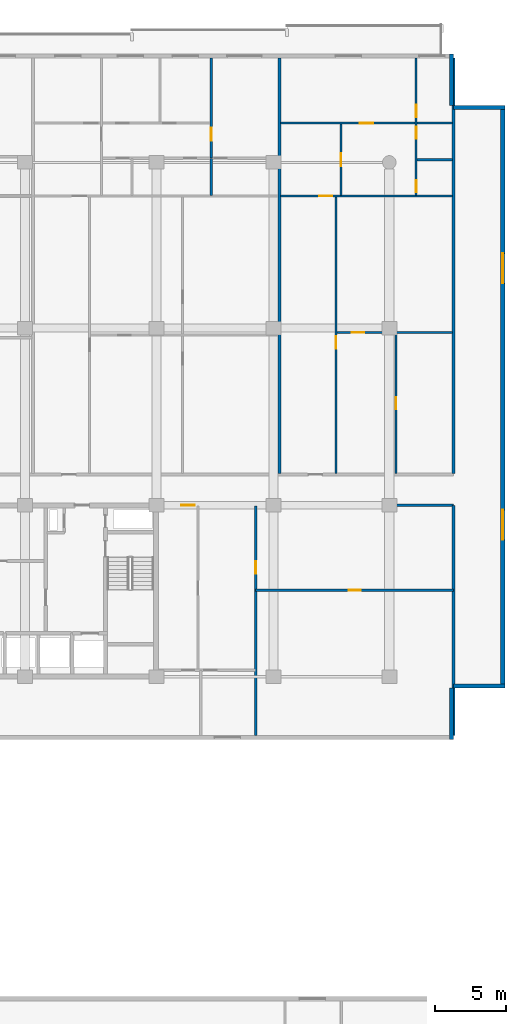
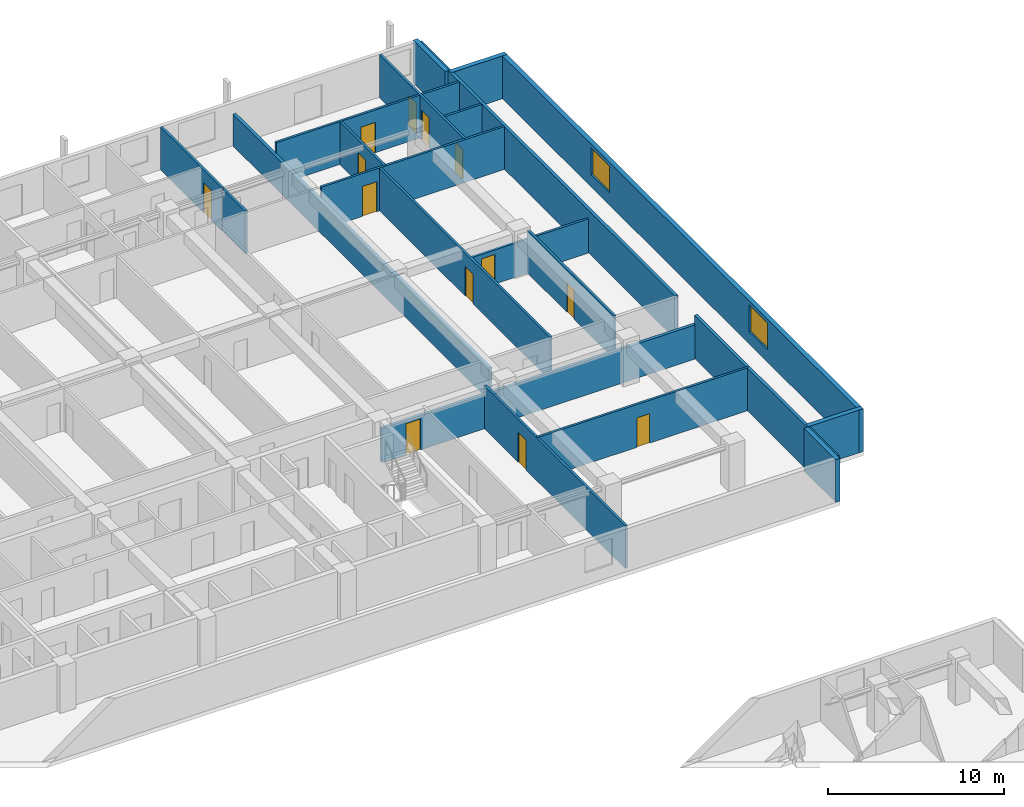
# One storey, part 18 of 24: 21 walls, 13 doors, 2 windows, 15 openings.
"""IFC4 building model written with IfcOpenShell, lengths in metres."""

from ifc_helpers import new_model, si_unit, direction, frame, frame_2d, origin, place, context, subcontext, project, spatial, rectangle, extrude, material, layer, layer_set, type_object, element, fill, save


model = new_model("IFC4")

# Units and contexts
model_context = context("Model", 3, precision=1e-05, world=origin(), true_north=direction((0.0, 1.0)))
body_context = subcontext(model_context, "Body", "Model", "MODEL_VIEW")
ifc_project = project(units=[si_unit("LENGTHUNIT", "METRE"), si_unit("AREAUNIT", "SQUARE_METRE"), si_unit("VOLUMEUNIT", "CUBIC_METRE"), si_unit("PLANEANGLEUNIT", "RADIAN"), si_unit("MASSUNIT", "GRAM", prefix="KILO")], contexts=[model_context])

# Site, building, storey
site_placement = place(None, origin())
site = spatial("IfcSite", under=ifc_project, at=site_placement, CompositionType="ELEMENT")
building_placement = place(site_placement, origin())
building = spatial("IfcBuilding", under=site, at=building_placement, Name="Korimba Cascade Residences", CompositionType="ELEMENT")
storey_placement = place(building_placement, frame((0.0, 0.0, 43.5)))
storey = spatial("IfcBuildingStorey", under=building, at=storey_placement, Name="L11", CompositionType="ELEMENT", Elevation=43.5)

# Walls
ifc_material_1 = material(Name="Precast concrete C40/50", Category="concrete")
ifc_layer_1 = layer(ifc_material_1, 0.300048828125)
ifc_layer_set_1 = layer_set([ifc_layer_1], Name="Precast concrete C40/50")
wall_type_1 = type_object("IfcWallType", Name="EW-STONE-300", PredefinedType="STANDARD", material=ifc_layer_set_1)
wall_1_placement = place(storey_placement, frame((132.75, 50.800048828125, 0.0), z_axis=(0.0, 0.0, 1.0), x_axis=(0.0, 1.0, 0.0)))
element("IfcWall", 1, at=wall_1_placement, inside=storey, type_object=wall_type_1, Name="L11 T1 Perimeter Stone Wall E01", PredefinedType="STANDARD", context=body_context, shape_type="SweptSolid", body=[
    extrude(rectangle(XDim=3.599853515625, YDim=0.300048828125, at=frame_2d((1.7998046875, 0.0))), origin(), (0.0, 0.0, 1.0), 2.969970703125),
])
wall_2_placement = place(storey_placement, frame((132.89990234375, 54.550048828125, 0.0), z_axis=(0.0, 0.0, 1.0), x_axis=(1.0, 0.0, 0.0)))
element("IfcWall", 2, at=wall_2_placement, inside=storey, type_object=wall_type_1, Name="L11 T1 Perimeter Stone Wall E02", PredefinedType="STANDARD", context=body_context, shape_type="SweptSolid", body=[
    extrude(rectangle(XDim=3.60009765625, YDim=0.300048828125, at=frame_2d((1.800048828125, 0.0))), origin(), (0.0, 0.0, 1.0), 2.969970703125),
])

# Wall, openings, windows
wall_3_placement = place(storey_placement, frame((136.35009765625, 54.39990234375, 0.0), z_axis=(0.0, 0.0, 1.0), x_axis=(0.0, 1.0, 0.0)))
wall_3 = element("IfcWall", 3, at=wall_3_placement, inside=storey, type_object=wall_type_1, Name="L11 T1 Perimeter Stone Wall E03", PredefinedType="STANDARD", context=body_context, shape_type="SweptSolid", body=[
    extrude(rectangle(XDim=40.800048828125, YDim=0.300048828125, at=frame_2d((20.39990234375, 0.0))), origin(), (0.0, 0.0, 1.0), 2.969970703125),
])
opening_1_placement = place(wall_3_placement, frame((10.3740234375, 0.0, 0.85009765625)))
opening_1 = element("IfcOpeningElement", 4, at=opening_1_placement, cuts=wall_3, Name="Opening W-03", PredefinedType="OPENING", context=body_context, shape_type="SweptSolid", body=[
    extrude(rectangle(XDim=2.10009765625, YDim=1.85009765625, at=frame_2d((1.050048828125, 0.925048828125))), frame((0.0, 0.16015625, 0.0), z_axis=(0.0, -1.0, 0.0), x_axis=(1.0, 0.0, 0.0)), (0.0, 0.0, 1.0), 0.320068359375),
])
opening_2_placement = place(wall_3_placement, frame((28.325927734375, 0.0, 0.85009765625)))
opening_2 = element("IfcOpeningElement", 5, at=opening_2_placement, cuts=wall_3, Name="Opening W-03", PredefinedType="OPENING", context=body_context, shape_type="SweptSolid", body=[
    extrude(rectangle(XDim=2.10009765625, YDim=1.85009765625, at=frame_2d((1.050048828125, 0.925048828125))), frame((0.0, 0.16015625, 0.0), z_axis=(0.0, -1.0, 0.0), x_axis=(1.0, 0.0, 0.0)), (0.0, 0.0, 1.0), 0.320068359375),
])
ifc_material_2 = material(Name="Double-Glazed Aluminium Window", Category="aluminium")
window_type = type_object("IfcWindowType", Name="WIN-CRN-2100", PartitioningType="DOUBLE_PANEL_HORIZONTAL", PredefinedType="WINDOW", material=ifc_material_2)
window_1_placement = place(opening_1_placement, origin())
window_1 = element("IfcWindow", 6, at=window_1_placement, inside=storey, type_object=window_type, Name="L11 T1 End View Window 3.1", OverallHeight=1.85009765625, OverallWidth=2.10009765625, PartitioningType="DOUBLE_PANEL_HORIZONTAL", PredefinedType="WINDOW", context=body_context, shape_type="SweptSolid", body=[
    extrude(rectangle(XDim=2.10009765625, YDim=1.85009765625, at=frame_2d((1.050048828125, 0.925048828125))), frame((0.0, 0.030029296875, 0.0), z_axis=(0.0, -1.0, 0.0), x_axis=(1.0, 0.0, 0.0)), (0.0, 0.0, 1.0), 0.06005859375),
])
fill(opening_1, window_1)
window_2_placement = place(opening_2_placement, origin())
window_2 = element("IfcWindow", 7, at=window_2_placement, inside=storey, type_object=window_type, Name="L11 T1 End View Window 3.2", OverallHeight=1.85009765625, OverallWidth=2.10009765625, PartitioningType="DOUBLE_PANEL_HORIZONTAL", PredefinedType="WINDOW", context=body_context, shape_type="SweptSolid", body=[
    extrude(rectangle(XDim=2.10009765625, YDim=1.85009765625, at=frame_2d((1.050048828125, 0.925048828125))), frame((0.0, 0.030029296875, 0.0), z_axis=(0.0, -1.0, 0.0), x_axis=(1.0, 0.0, 0.0)), (0.0, 0.0, 1.0), 0.06005859375),
])
fill(opening_2, window_2)

# Walls
for number, where, z_axis, x_axis, name in (
    (8, (136.5, 95.050048828125, 0.0), (0.0, 0.0, 1.0), (-1.0, 0.0, 0.0), "L11 T1 Perimeter Stone Wall E04"),
    (9, (132.75, 95.199951171875, 0.0), (0.0, 0.0, 1.0), (0.0, 1.0, 0.0), "L11 T1 Perimeter Stone Wall E05"),
):
    element("IfcWall", number, at=place(storey_placement, frame(where, z_axis=z_axis, x_axis=x_axis)), inside=storey, type_object=wall_type_1, Name=name, PredefinedType="STANDARD", context=body_context, shape_type="SweptSolid", body=[
        extrude(rectangle(XDim=3.60009765625, YDim=0.300048828125, at=frame_2d((1.800048828125, 0.0))), origin(), (0.0, 0.0, 1.0), 2.969970703125),
    ])
ifc_layer_2 = layer(ifc_material_1, 0.199951171875)
ifc_layer_set_2 = layer_set([ifc_layer_2], Name="Precast concrete C40/50")
wall_type_2 = type_object("IfcWallType", Name="WAL-IT-200", PredefinedType="PARTITIONING", material=ifc_layer_set_2)
wall_4_placement = place(storey_placement, frame((132.89990234375, 51.10009765625, 0.0), z_axis=(0.0, 0.0, 1.0), x_axis=(0.0, 1.0, 0.0)))
element("IfcWall", 10, at=wall_4_placement, inside=storey, type_object=wall_type_2, Name="L11 Partition Wall WAL-L11-T1-FE-WR", PredefinedType="PARTITIONING", context=body_context, shape_type="SweptSolid", body=[
    extrude(rectangle(XDim=16.099853515625, YDim=0.199951171875, at=frame_2d((8.0498046875, 0.0))), origin(), (0.0, 0.0, 1.0), 2.969970703125),
])

# Wall, opening, door
wall_5_placement = place(storey_placement, frame((112.25, 67.199951171875, 0.0), z_axis=(0.0, 0.0, 1.0), x_axis=(1.0, 0.0, 0.0)))
wall_5 = element("IfcWall", 11, at=wall_5_placement, inside=storey, type_object=wall_type_2, Name="L11 Partition Wall WAL-L11-T1-FE-N", PredefinedType="PARTITIONING", context=body_context, shape_type="SweptSolid", body=[
    extrude(rectangle(XDim=20.64990234375, YDim=0.199951171875, at=frame_2d((10.324951171875, 0.0))), origin(), (0.0, 0.0, 1.0), 2.3701171875),
])
opening_3_placement = place(wall_5_placement, frame((1.580078125, 0.0, 0.0)))
opening_3 = element("IfcOpeningElement", 12, at=opening_3_placement, cuts=wall_5, Name="Opening D-UN1", PredefinedType="OPENING", context=body_context, shape_type="SweptSolid", body=[
    extrude(rectangle(XDim=0.949951171875, YDim=2.14990234375, at=frame_2d((0.47509765625, 1.074951171875))), frame((0.0, 0.10986328125, 0.0), z_axis=(0.0, -1.0, 0.0), x_axis=(1.0, 0.0, 0.0)), (0.0, 0.0, 1.0), 0.219970703125),
])
ifc_material_3 = material(Name="Fire-Rated Hardwood Apartment Entrance Door", Category="wood")
door_type_1 = type_object("IfcDoorType", Name="DR-FD60-950", OperationType="NOTDEFINED", PredefinedType="DOOR", material=ifc_material_3)
door_1_placement = place(opening_3_placement, origin())
door_1 = element("IfcDoor", 13, at=door_1_placement, inside=storey, type_object=door_type_1, Name="L11-T1-FE Entrance Door", OperationType="SINGLE_SWING_RIGHT", OverallHeight=2.14990234375, OverallWidth=0.949951171875, PredefinedType="DOOR", context=body_context, shape_type="SweptSolid", body=[
    extrude(rectangle(XDim=0.949951171875, YDim=2.14990234375, at=frame_2d((0.47509765625, 1.074951171875))), frame((0.0, 0.02490234375, 0.0), z_axis=(0.0, -1.0, 0.0), x_axis=(1.0, 0.0, 0.0)), (0.0, 0.0, 1.0), 0.050048828125),
])
fill(opening_3, door_1)

# Walls
wall_6_placement = place(storey_placement, frame((132.89990234375, 69.429931640625, 0.0), z_axis=(0.0, 0.0, 1.0), x_axis=(0.0, 1.0, 0.0)))
element("IfcWall", 14, at=wall_6_placement, inside=storey, type_object=wall_type_2, Name="L11 Partition Wall WAL-L11-T1-BNDWR", PredefinedType="PARTITIONING", context=body_context, shape_type="SweptSolid", body=[
    extrude(rectangle(XDim=29.070068359375, YDim=0.199951171875, at=frame_2d((14.53515625, 0.0))), origin(), (0.0, 0.0, 1.0), 2.969970703125),
])
wall_7_placement = place(storey_placement, frame((120.70458984375, 69.429931640625, 0.0), z_axis=(0.0, 0.0, 1.0), x_axis=(0.0, 1.0, 0.0)))
element("IfcWall", 15, at=wall_7_placement, inside=storey, type_object=wall_type_2, Name="L11 Partition Wall WAL-L11-T1-DEM-4", PredefinedType="PARTITIONING", context=body_context, shape_type="SweptSolid", body=[
    extrude(rectangle(XDim=29.070068359375, YDim=0.199951171875, at=frame_2d((14.53515625, 0.0))), origin(), (0.0, 0.0, 1.0), 2.219970703125),
])

# Wall, opening, door
ifc_material_4 = material(Name="Insulated Acoustic Stud Partition", Category="gypsum")
ifc_layer_3 = layer(ifc_material_4, 0.14990234375)
ifc_layer_set_3 = layer_set([ifc_layer_3], Name="Insulated Acoustic Stud Partition")
wall_type_3 = type_object("IfcWallType", Name="WAL-PART-150", PredefinedType="PARTITIONING", material=ifc_layer_set_3)
wall_8_placement = place(storey_placement, frame((119.050048828125, 61.25, 0.0), z_axis=(0.0, 0.0, 1.0), x_axis=(1.0, 0.0, 0.0)))
wall_8 = element("IfcWall", 16, at=wall_8_placement, inside=storey, type_object=wall_type_3, Name="L11 Partition Wall WAL-L11-T1-FE-STH", PredefinedType="PARTITIONING", context=body_context, shape_type="SweptSolid", body=[
    extrude(rectangle(XDim=13.849853515625, YDim=0.14990234375, at=frame_2d((6.9248046875, 0.0))), origin(), (0.0, 0.0, 1.0), 2.969970703125),
])
opening_4_placement = place(wall_8_placement, frame((6.5048828125, 0.0, 0.0)))
opening_4 = element("IfcOpeningElement", 17, at=opening_4_placement, cuts=wall_8, Name="Opening D-BT1", PredefinedType="OPENING", context=body_context, shape_type="SweptSolid", body=[
    extrude(rectangle(XDim=0.840087890625, YDim=2.0400390625, at=frame_2d((0.419921875, 1.02001953125))), frame((0.0, 0.0849609375, 0.0), z_axis=(0.0, -1.0, 0.0), x_axis=(1.0, 0.0, 0.0)), (0.0, 0.0, 1.0), 0.169921875),
])
ifc_material_5 = material(Name="Moisture-Resistant Bathroom Timber Door", Category="wood")
door_type_2 = type_object("IfcDoorType", Name="DR-INT-850", OperationType="NOTDEFINED", PredefinedType="DOOR", material=ifc_material_5)
door_2_placement = place(opening_4_placement, origin())
door_2 = element("IfcDoor", 18, at=door_2_placement, inside=storey, type_object=door_type_2, Name="L11-T1-FE Dressing Store Door", OperationType="SINGLE_SWING_LEFT", OverallHeight=2.0400390625, OverallWidth=0.840087890625, PredefinedType="DOOR", context=body_context, shape_type="SweptSolid", body=[
    extrude(rectangle(XDim=0.840087890625, YDim=2.0400390625, at=frame_2d((0.419921875, 1.02001953125))), frame((0.0, 0.02490234375, 0.0), z_axis=(0.0, -1.0, 0.0), x_axis=(1.0, 0.0, 0.0)), (0.0, 0.0, 1.0), 0.050048828125),
])
fill(opening_4, door_2)

wall_9_placement = place(storey_placement, frame((119.050048828125, 51.10009765625, 0.0), z_axis=(0.0, 0.0, 1.0), x_axis=(0.0, 1.0, 0.0)))
wall_9 = element("IfcWall", 19, at=wall_9_placement, inside=storey, type_object=wall_type_3, Name="L11 Partition Wall WAL-L11-T1-FE-STV", PredefinedType="PARTITIONING", context=body_context, shape_type="SweptSolid", body=[
    extrude(rectangle(XDim=16.0498046875, YDim=0.14990234375, at=frame_2d((8.02490234375, 0.0))), origin(), (0.0, 0.0, 1.0), 2.969970703125),
])
opening_5_placement = place(wall_9_placement, frame((11.300048828125, 0.0, 0.0)))
opening_5 = element("IfcOpeningElement", 20, at=opening_5_placement, cuts=wall_9, Name="Opening D-IN2", PredefinedType="OPENING", context=body_context, shape_type="SweptSolid", body=[
    extrude(rectangle(XDim=0.8798828125, YDim=2.06005859375, at=frame_2d((0.43994140625, 1.030029296875))), frame((0.0, 0.0849609375, 0.0), z_axis=(0.0, -1.0, 0.0), x_axis=(1.0, 0.0, 0.0)), (0.0, 0.0, 1.0), 0.169921875),
])
ifc_material_6 = material(Name="Acoustic Timber Bedroom Door", Category="wood")
door_type_3 = type_object("IfcDoorType", Name="DR-INT-880", OperationType="NOTDEFINED", PredefinedType="DOOR", material=ifc_material_6)
door_3_placement = place(opening_5_placement, origin())
door_3 = element("IfcDoor", 21, at=door_3_placement, inside=storey, type_object=door_type_3, Name="L11-T1-FE Study Door", OperationType="SINGLE_SWING_RIGHT", OverallHeight=2.06005859375, OverallWidth=0.8798828125, PredefinedType="DOOR", context=body_context, shape_type="SweptSolid", body=[
    extrude(rectangle(XDim=0.8798828125, YDim=2.06005859375, at=frame_2d((0.43994140625, 1.030029296875))), frame((0.0, 0.02490234375, 0.0), z_axis=(0.0, -1.0, 0.0), x_axis=(1.0, 0.0, 0.0)), (0.0, 0.0, 1.0), 0.050048828125),
])
fill(opening_5, door_3)

# Wall
wall_10_placement = place(storey_placement, frame((115.9345703125, 88.889892578125, 0.0), z_axis=(0.0, 0.0, 1.0), x_axis=(0.0, 1.0, 0.0)))
element("IfcWall", 22, at=wall_10_placement, inside=storey, type_object=wall_type_3, Name="L11 Partition Wall WAL-L11-T1-U04-VBATH", PredefinedType="PARTITIONING", context=body_context, shape_type="SweptSolid", body=[
    extrude(rectangle(XDim=2.580078125, YDim=0.14990234375, at=frame_2d((1.2900390625, 0.0))), origin(), (0.0, 0.0, 1.0), 2.969970703125),
])

# Wall, opening, door
wall_11_placement = place(storey_placement, frame((115.9345703125, 91.510009765625, 0.0), z_axis=(0.0, 0.0, 1.0), x_axis=(0.0, 1.0, 0.0)))
wall_11 = element("IfcWall", 23, at=wall_11_placement, inside=storey, type_object=wall_type_3, Name="L11 Partition Wall WAL-L11-T1-U04-V2FULL", PredefinedType="PARTITIONING", context=body_context, shape_type="SweptSolid", body=[
    extrude(rectangle(XDim=6.989990234375, YDim=0.14990234375, at=frame_2d((3.4951171875, 0.0))), origin(), (0.0, 0.0, 1.0), 2.969970703125),
])
opening_6_placement = place(wall_11_placement, frame((1.199951171875, 0.0, 0.0)))
opening_6 = element("IfcOpeningElement", 24, at=opening_6_placement, cuts=wall_11, Name="Opening D-IN1", PredefinedType="OPENING", context=body_context, shape_type="SweptSolid", body=[
    extrude(rectangle(XDim=0.919921875, YDim=2.080078125, at=frame_2d((0.4599609375, 1.0400390625))), frame((0.0, 0.0849609375, 0.0), z_axis=(0.0, -1.0, 0.0), x_axis=(1.0, 0.0, 0.0)), (0.0, 0.0, 1.0), 0.169921875),
])
ifc_material_7 = material(Name="Acoustic Timber Living Door", Category="wood")
door_type_4 = type_object("IfcDoorType", Name="DR-INT-920", OperationType="NOTDEFINED", PredefinedType="DOOR", material=ifc_material_7)
door_4_placement = place(opening_6_placement, origin())
door_4 = element("IfcDoor", 25, at=door_4_placement, inside=storey, type_object=door_type_4, Name="L11-T1-U04 Master Bedroom Door", OperationType="SINGLE_SWING_LEFT", OverallHeight=2.080078125, OverallWidth=0.919921875, PredefinedType="DOOR", context=body_context, shape_type="SweptSolid", body=[
    extrude(rectangle(XDim=0.919921875, YDim=2.080078125, at=frame_2d((0.4599609375, 1.0400390625))), frame((0.0, 0.02490234375, 0.0), z_axis=(0.0, -1.0, 0.0), x_axis=(1.0, 0.0, 0.0)), (0.0, 0.0, 1.0), 0.050048828125),
])
fill(opening_6, door_4)

wall_12_placement = place(storey_placement, frame((128.877197265625, 69.409912109375, 0.0), z_axis=(0.0, 0.0, 1.0), x_axis=(0.0, 1.0, 0.0)))
wall_12 = element("IfcWall", 26, at=wall_12_placement, inside=storey, type_object=wall_type_3, Name="L11 Partition Wall WAL-L11-T1-U05-FMV", PredefinedType="PARTITIONING", context=body_context, shape_type="SweptSolid", body=[
    extrude(rectangle(XDim=9.880126953125, YDim=0.14990234375, at=frame_2d((4.93994140625, 0.0))), origin(), (0.0, 0.0, 1.0), 2.969970703125),
])
opening_7_placement = place(wall_12_placement, frame((4.52001953125, 0.0, 0.0)))
opening_7 = element("IfcOpeningElement", 27, at=opening_7_placement, cuts=wall_12, Name="Opening D-BT1", PredefinedType="OPENING", context=body_context, shape_type="SweptSolid", body=[
    extrude(rectangle(XDim=0.840087890625, YDim=2.0400390625, at=frame_2d((0.419921875, 1.02001953125))), frame((0.0, 0.0849609375, 0.0), z_axis=(0.0, -1.0, 0.0), x_axis=(1.0, 0.0, 0.0)), (0.0, 0.0, 1.0), 0.169921875),
])
door_5_placement = place(opening_7_placement, origin())
door_5 = element("IfcDoor", 28, at=door_5_placement, inside=storey, type_object=door_type_2, Name="L11-T1-U05 Wardrobe Door", OperationType="SINGLE_SWING_LEFT", OverallHeight=2.0400390625, OverallWidth=0.840087890625, PredefinedType="DOOR", context=body_context, shape_type="SweptSolid", body=[
    extrude(rectangle(XDim=0.840087890625, YDim=2.0400390625, at=frame_2d((0.419921875, 1.02001953125))), frame((0.0, 0.02490234375, 0.0), z_axis=(0.0, -1.0, 0.0), x_axis=(1.0, 0.0, 0.0)), (0.0, 0.0, 1.0), 0.050048828125),
])
fill(opening_7, door_5)

wall_13_placement = place(storey_placement, frame((124.734619140625, 79.2900390625, 0.0), z_axis=(0.0, 0.0, 1.0), x_axis=(1.0, 0.0, 0.0)))
wall_13 = element("IfcWall", 29, at=wall_13_placement, inside=storey, type_object=wall_type_3, Name="L11 Partition Wall WAL-L11-T1-U05-FMH", PredefinedType="PARTITIONING", context=body_context, shape_type="SweptSolid", body=[
    extrude(rectangle(XDim=8.08544921875, YDim=0.14990234375, at=frame_2d((4.042724609375, 0.0))), origin(), (0.0, 0.0, 1.0), 2.3701171875),
])
opening_8_placement = place(wall_13_placement, frame((1.050048828125, 0.0, 0.0)))
opening_8 = element("IfcOpeningElement", 30, at=opening_8_placement, cuts=wall_13, Name="Opening D-IN2", PredefinedType="OPENING", context=body_context, shape_type="SweptSolid", body=[
    extrude(rectangle(XDim=0.8798828125, YDim=2.06005859375, at=frame_2d((0.43994140625, 1.030029296875))), frame((0.0, 0.0849609375, 0.0), z_axis=(0.0, -1.0, 0.0), x_axis=(1.0, 0.0, 0.0)), (0.0, 0.0, 1.0), 0.169921875),
])
door_6_placement = place(opening_8_placement, origin())
door_6 = element("IfcDoor", 31, at=door_6_placement, inside=storey, type_object=door_type_3, Name="L11-T1-U05 Library Salon Door", OperationType="SINGLE_SWING_RIGHT", OverallHeight=2.06005859375, OverallWidth=0.8798828125, PredefinedType="DOOR", context=body_context, shape_type="SweptSolid", body=[
    extrude(rectangle(XDim=0.8798828125, YDim=2.06005859375, at=frame_2d((0.43994140625, 1.030029296875))), frame((0.0, 0.02490234375, 0.0), z_axis=(0.0, -1.0, 0.0), x_axis=(1.0, 0.0, 0.0)), (0.0, 0.0, 1.0), 0.050048828125),
])
fill(opening_8, door_6)

wall_14_placement = place(storey_placement, frame((124.674560546875, 69.409912109375, 0.0), z_axis=(0.0, 0.0, 1.0), x_axis=(0.0, 1.0, 0.0)))
wall_14 = element("IfcWall", 32, at=wall_14_placement, inside=storey, type_object=wall_type_3, Name="L11 Partition Wall WAL-L11-T1-U05-FV", PredefinedType="PARTITIONING", context=body_context, shape_type="SweptSolid", body=[
    extrude(rectangle(XDim=19.400146484375, YDim=0.14990234375, at=frame_2d((9.7001953125, 0.0))), origin(), (0.0, 0.0, 1.0), 2.969970703125),
])
opening_9_placement = place(wall_14_placement, frame((8.75, 0.0, 0.0)))
opening_9 = element("IfcOpeningElement", 33, at=opening_9_placement, cuts=wall_14, Name="Opening D-IN2", PredefinedType="OPENING", context=body_context, shape_type="SweptSolid", body=[
    extrude(rectangle(XDim=0.8798828125, YDim=2.06005859375, at=frame_2d((0.43994140625, 1.030029296875))), frame((0.0, 0.0849609375, 0.0), z_axis=(0.0, -1.0, 0.0), x_axis=(1.0, 0.0, 0.0)), (0.0, 0.0, 1.0), 0.169921875),
])
door_7_placement = place(opening_9_placement, origin())
door_7 = element("IfcDoor", 34, at=door_7_placement, inside=storey, type_object=door_type_3, Name="L11-T1-U05 Media Lounge Door", OperationType="SINGLE_SWING_LEFT", OverallHeight=2.06005859375, OverallWidth=0.8798828125, PredefinedType="DOOR", context=body_context, shape_type="SweptSolid", body=[
    extrude(rectangle(XDim=0.8798828125, YDim=2.06005859375, at=frame_2d((0.43994140625, 1.030029296875))), frame((0.0, 0.02490234375, 0.0), z_axis=(0.0, -1.0, 0.0), x_axis=(1.0, 0.0, 0.0)), (0.0, 0.0, 1.0), 0.050048828125),
])
fill(opening_9, door_7)

wall_15_placement = place(storey_placement, frame((125.024658203125, 88.889892578125, 0.0), z_axis=(0.0, 0.0, 1.0), x_axis=(0.0, 1.0, 0.0)))
wall_15 = element("IfcWall", 35, at=wall_15_placement, inside=storey, type_object=wall_type_3, Name="L11 Partition Wall WAL-L11-T1-U05-VDIN", PredefinedType="PARTITIONING", context=body_context, shape_type="SweptSolid", body=[
    extrude(rectangle(XDim=5.0, YDim=0.14990234375, at=frame_2d((2.5, 0.0))), origin(), (0.0, 0.0, 1.0), 2.969970703125),
])
opening_10_placement = place(wall_15_placement, frame((2.06005859375, 0.0, 0.0)))
opening_10 = element("IfcOpeningElement", 36, at=opening_10_placement, cuts=wall_15, Name="Opening D-IN2", PredefinedType="OPENING", context=body_context, shape_type="SweptSolid", body=[
    extrude(rectangle(XDim=0.8798828125, YDim=2.06005859375, at=frame_2d((0.43994140625, 1.030029296875))), frame((0.0, 0.0849609375, 0.0), z_axis=(0.0, -1.0, 0.0), x_axis=(1.0, 0.0, 0.0)), (0.0, 0.0, 1.0), 0.169921875),
])
door_8_placement = place(opening_10_placement, origin())
door_8 = element("IfcDoor", 37, at=door_8_placement, inside=storey, type_object=door_type_3, Name="L11-T1-U05 Dining Room Door", OperationType="SINGLE_SWING_RIGHT", OverallHeight=2.06005859375, OverallWidth=0.8798828125, PredefinedType="DOOR", context=body_context, shape_type="SweptSolid", body=[
    extrude(rectangle(XDim=0.8798828125, YDim=2.06005859375, at=frame_2d((0.43994140625, 1.030029296875))), frame((0.0, 0.02490234375, 0.0), z_axis=(0.0, -1.0, 0.0), x_axis=(1.0, 0.0, 0.0)), (0.0, 0.0, 1.0), 0.050048828125),
])
fill(opening_10, door_8)

# Wall
wall_16_placement = place(storey_placement, frame((130.340087890625, 91.389892578125, 0.0), z_axis=(0.0, 0.0, 1.0), x_axis=(1.0, 0.0, 0.0)))
element("IfcWall", 38, at=wall_16_placement, inside=storey, type_object=wall_type_3, Name="L11 Partition Wall WAL-L11-T1-U05-BLDIV", PredefinedType="PARTITIONING", context=body_context, shape_type="SweptSolid", body=[
    extrude(rectangle(XDim=2.47998046875, YDim=0.14990234375, at=frame_2d((1.239990234375, 0.0))), origin(), (0.0, 0.0, 1.0), 2.969970703125),
])

# Wall, openings, doors
wall_17_placement = place(storey_placement, frame((130.280029296875, 88.889892578125, 0.0), z_axis=(0.0, 0.0, 1.0), x_axis=(0.0, 1.0, 0.0)))
wall_17 = element("IfcWall", 39, at=wall_17_placement, inside=storey, type_object=wall_type_3, Name="L11 Partition Wall WAL-L11-T1-U05-V1", PredefinedType="PARTITIONING", context=body_context, shape_type="SweptSolid", body=[
    extrude(rectangle(XDim=9.610107421875, YDim=0.14990234375, at=frame_2d((4.80517578125, 0.0))), origin(), (0.0, 0.0, 1.0), 2.969970703125),
])
opening_11_placement = place(wall_17_placement, frame((0.239990234375, 0.0, 0.0)))
opening_11 = element("IfcOpeningElement", 40, at=opening_11_placement, cuts=wall_17, Name="Opening D-BT1", PredefinedType="OPENING", context=body_context, shape_type="SweptSolid", body=[
    extrude(rectangle(XDim=0.840087890625, YDim=2.0400390625, at=frame_2d((0.419921875, 1.02001953125))), frame((0.0, 0.0849609375, 0.0), z_axis=(0.0, -1.0, 0.0), x_axis=(1.0, 0.0, 0.0)), (0.0, 0.0, 1.0), 0.169921875),
])
opening_12_placement = place(wall_17_placement, frame((3.966552734375, 0.0, 0.0)))
opening_12 = element("IfcOpeningElement", 41, at=opening_12_placement, cuts=wall_17, Name="Opening D-BT1", PredefinedType="OPENING", context=body_context, shape_type="SweptSolid", body=[
    extrude(rectangle(XDim=0.840087890625, YDim=2.0400390625, at=frame_2d((0.419921875, 1.02001953125))), frame((0.0, 0.0849609375, 0.0), z_axis=(0.0, -1.0, 0.0), x_axis=(1.0, 0.0, 0.0)), (0.0, 0.0, 1.0), 0.169921875),
])
opening_13_placement = place(wall_17_placement, frame((5.47998046875, 0.0, 0.0)))
opening_13 = element("IfcOpeningElement", 42, at=opening_13_placement, cuts=wall_17, Name="Opening D-IN2", PredefinedType="OPENING", context=body_context, shape_type="SweptSolid", body=[
    extrude(rectangle(XDim=0.8798828125, YDim=2.06005859375, at=frame_2d((0.43994140625, 1.030029296875))), frame((0.0, 0.0849609375, 0.0), z_axis=(0.0, -1.0, 0.0), x_axis=(1.0, 0.0, 0.0)), (0.0, 0.0, 1.0), 0.169921875),
])
door_9_placement = place(opening_11_placement, origin())
door_9 = element("IfcDoor", 43, at=door_9_placement, inside=storey, type_object=door_type_2, Name="L11-T1-U05 Bathroom Door", OperationType="SINGLE_SWING_LEFT", OverallHeight=2.0400390625, OverallWidth=0.840087890625, PredefinedType="DOOR", context=body_context, shape_type="SweptSolid", body=[
    extrude(rectangle(XDim=0.840087890625, YDim=2.0400390625, at=frame_2d((0.419921875, 1.02001953125))), frame((0.0, 0.02490234375, 0.0), z_axis=(0.0, -1.0, 0.0), x_axis=(1.0, 0.0, 0.0)), (0.0, 0.0, 1.0), 0.050048828125),
])
fill(opening_11, door_9)
door_10_placement = place(opening_12_placement, origin())
door_10 = element("IfcDoor", 44, at=door_10_placement, inside=storey, type_object=door_type_2, Name="L11-T1-U05 Laundry Door", OperationType="SINGLE_SWING_RIGHT", OverallHeight=2.0400390625, OverallWidth=0.840087890625, PredefinedType="DOOR", context=body_context, shape_type="SweptSolid", body=[
    extrude(rectangle(XDim=0.840087890625, YDim=2.0400390625, at=frame_2d((0.419921875, 1.02001953125))), frame((0.0, 0.02490234375, 0.0), z_axis=(0.0, -1.0, 0.0), x_axis=(1.0, 0.0, 0.0)), (0.0, 0.0, 1.0), 0.050048828125),
])
fill(opening_12, door_10)
door_11_placement = place(opening_13_placement, origin())
door_11 = element("IfcDoor", 45, at=door_11_placement, inside=storey, type_object=door_type_3, Name="L11-T1-U05 Bedroom 1 Door", OperationType="SINGLE_SWING_LEFT", OverallHeight=2.06005859375, OverallWidth=0.8798828125, PredefinedType="DOOR", context=body_context, shape_type="SweptSolid", body=[
    extrude(rectangle(XDim=0.8798828125, YDim=2.06005859375, at=frame_2d((0.43994140625, 1.030029296875))), frame((0.0, 0.02490234375, 0.0), z_axis=(0.0, -1.0, 0.0), x_axis=(1.0, 0.0, 0.0)), (0.0, 0.0, 1.0), 0.050048828125),
])
fill(opening_13, door_11)

# Wall, opening, door
wall_18_placement = place(storey_placement, frame((120.78466796875, 88.85009765625, 0.0), z_axis=(0.0, 0.0, 1.0), x_axis=(1.0, 0.0, 0.0)))
wall_18 = element("IfcWall", 46, at=wall_18_placement, inside=storey, type_object=wall_type_3, Name="L11 Partition Wall WAL-L11-T1-U05-MW", PredefinedType="PARTITIONING", context=body_context, shape_type="SweptSolid", body=[
    extrude(rectangle(XDim=12.035400390625, YDim=0.14990234375, at=frame_2d((6.017578125, 0.0))), origin(), (0.0, 0.0, 1.0), 2.969970703125),
])
opening_14_placement = place(wall_18_placement, frame((2.719970703125, 0.0, 0.0)))
opening_14 = element("IfcOpeningElement", 47, at=opening_14_placement, cuts=wall_18, Name="Opening D-IN1", PredefinedType="OPENING", context=body_context, shape_type="SweptSolid", body=[
    extrude(rectangle(XDim=0.919921875, YDim=2.080078125, at=frame_2d((0.4599609375, 1.0400390625))), frame((0.0, 0.0849609375, 0.0), z_axis=(0.0, -1.0, 0.0), x_axis=(1.0, 0.0, 0.0)), (0.0, 0.0, 1.0), 0.169921875),
])
door_12_placement = place(opening_14_placement, origin())
door_12 = element("IfcDoor", 48, at=door_12_placement, inside=storey, type_object=door_type_4, Name="L11-T1-U05 Kitchen Archway Door", OperationType="SINGLE_SWING_RIGHT", OverallHeight=2.080078125, OverallWidth=0.919921875, PredefinedType="DOOR", context=body_context, shape_type="SweptSolid", body=[
    extrude(rectangle(XDim=0.919921875, YDim=2.080078125, at=frame_2d((0.4599609375, 1.0400390625))), frame((0.0, 0.02490234375, 0.0), z_axis=(0.0, -1.0, 0.0), x_axis=(1.0, 0.0, 0.0)), (0.0, 0.0, 1.0), 0.050048828125),
])
fill(opening_14, door_12)

wall_19_placement = place(storey_placement, frame((120.78466796875, 93.949951171875, 0.0), z_axis=(0.0, 0.0, 1.0), x_axis=(1.0, 0.0, 0.0)))
wall_19 = element("IfcWall", 49, at=wall_19_placement, inside=storey, type_object=wall_type_3, Name="L11 Partition Wall WAL-L11-T1-U05-HZ", PredefinedType="PARTITIONING", context=body_context, shape_type="SweptSolid", body=[
    extrude(rectangle(XDim=12.035400390625, YDim=0.14990234375, at=frame_2d((6.017578125, 0.0))), origin(), (0.0, 0.0, 1.0), 2.969970703125),
])
opening_15_placement = place(wall_19_placement, frame((5.547607421875, 0.0, 0.0)))
opening_15 = element("IfcOpeningElement", 50, at=opening_15_placement, cuts=wall_19, Name="Opening D-IN0", PredefinedType="OPENING", context=body_context, shape_type="SweptSolid", body=[
    extrude(rectangle(XDim=0.93994140625, YDim=2.10009765625, at=frame_2d((0.469970703125, 1.050048828125))), frame((0.0, 0.0849609375, 0.0), z_axis=(0.0, -1.0, 0.0), x_axis=(1.0, 0.0, 0.0)), (0.0, 0.0, 1.0), 0.169921875),
])
ifc_material_8 = material(Name="Acoustic Timber Living Archway Door", Category="wood")
door_type_5 = type_object("IfcDoorType", Name="DR-INT-950", OperationType="NOTDEFINED", PredefinedType="DOOR", material=ifc_material_8)
door_13_placement = place(opening_15_placement, origin())
door_13 = element("IfcDoor", 51, at=door_13_placement, inside=storey, type_object=door_type_5, Name="L11-T1-U05 Living Archway Door", OperationType="SINGLE_SWING_LEFT", OverallHeight=2.10009765625, OverallWidth=0.93994140625, PredefinedType="DOOR", context=body_context, shape_type="SweptSolid", body=[
    extrude(rectangle(XDim=0.93994140625, YDim=2.10009765625, at=frame_2d((0.469970703125, 1.050048828125))), frame((0.0, 0.02490234375, 0.0), z_axis=(0.0, -1.0, 0.0), x_axis=(1.0, 0.0, 0.0)), (0.0, 0.0, 1.0), 0.050048828125),
])
fill(opening_15, door_13)

save(model, "model.ifc")
